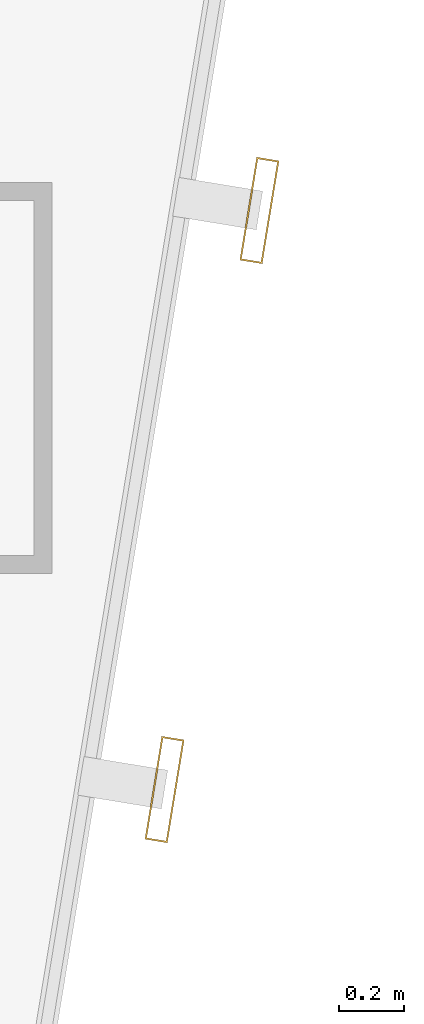
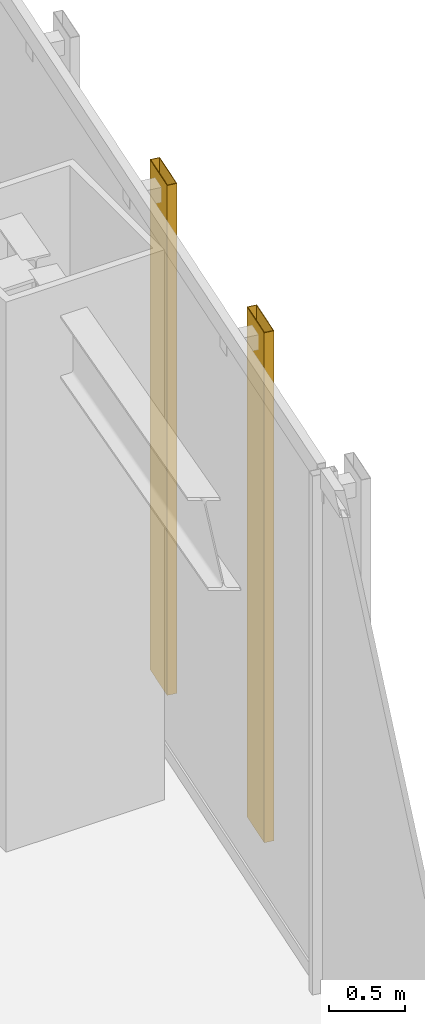
# One storey, part 45 of 47: 2 shading devices.
"""IFC4 building model written with IfcOpenShell, lengths in metres."""

from ifc_helpers import new_model, si_unit, direction, frame, origin, origin_2d, place, context, subcontext, project, spatial, hollow_rectangle, extrude, material, material_profile, profile_set, type_object, element, save


model = new_model("IFC4")

# Units and contexts
model_context = context("Model", 3, precision=1e-05, world=origin(), true_north=direction((0.0, 1.0)))
body_context = subcontext(model_context, "Body", "Model", "MODEL_VIEW")
ifc_project = project(units=[si_unit("LENGTHUNIT", "METRE"), si_unit("AREAUNIT", "SQUARE_METRE"), si_unit("VOLUMEUNIT", "CUBIC_METRE"), si_unit("PLANEANGLEUNIT", "RADIAN"), si_unit("MASSUNIT", "GRAM", prefix="KILO")], contexts=[model_context])

# Site, building, storey
site_placement = place(None, origin())
site = spatial("IfcSite", under=ifc_project, at=site_placement, CompositionType="ELEMENT")
building_placement = place(site_placement, origin())
building = spatial("IfcBuilding", under=site, at=building_placement, Name="Saevonmaru Cultural Tower", CompositionType="ELEMENT")
storey_placement = place(building_placement, frame((0.0, 0.0, 69.199951171875)))
storey = spatial("IfcBuildingStorey", under=building, at=storey_placement, Name="L14", CompositionType="ELEMENT", Elevation=69.199951171875)

# Shading devices
ifc_material = material(Name="Satin Bronze Anodised Aluminium", Category="aluminium")
ifc_material_profile = material_profile(ifc_material, hollow_rectangle(XDim=0.070068359375, YDim=0.320068359375, WallThickness=0.0048828125, at=origin_2d()), Name="FIN-320x70")
ifc_profile_set = profile_set([ifc_material_profile], Name="Satin Bronze Anodised Aluminium")
shading_device_type = type_object("IfcShadingDeviceType", Name="SHD-FIN-320", PredefinedType="JALOUSIE", material=ifc_profile_set)
for number, where, z_axis, x_axis, name in (
    (1, (52.6279296875, 30.737548828125, 0.050048828125), (0.0, 0.0, 1.0), (0.986827496189, -0.161776057456, 0.0), "L14 Art Deco Sawtooth Bronze Fin E8-15"),
    (2, (52.9189453125, 32.513916015625, 0.050048828125), (0.0, 0.0, 1.0), (0.986827496189, -0.161776057456, 0.0), "L14 Art Deco Sawtooth Bronze Fin E8-16"),
):
    element("IfcShadingDevice", number, at=place(storey_placement, frame(where, z_axis=z_axis, x_axis=x_axis)), inside=storey, type_object=shading_device_type, Name=name, PredefinedType="JALOUSIE", context=body_context, shape_type="SweptSolid", body=[
        extrude(hollow_rectangle(XDim=0.070068359375, YDim=0.320068359375, WallThickness=0.0048828125, at=origin_2d()), origin(), (0.0, 0.0, 1.0), 4.080078125),
    ])

save(model, "model.ifc")
